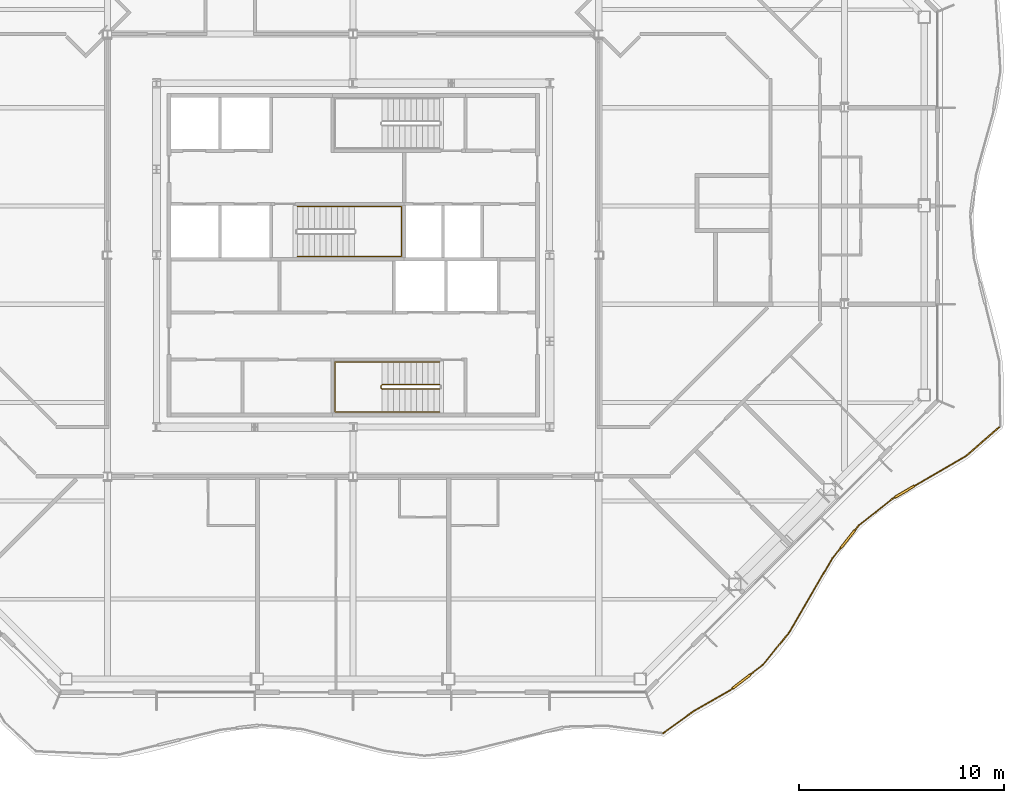
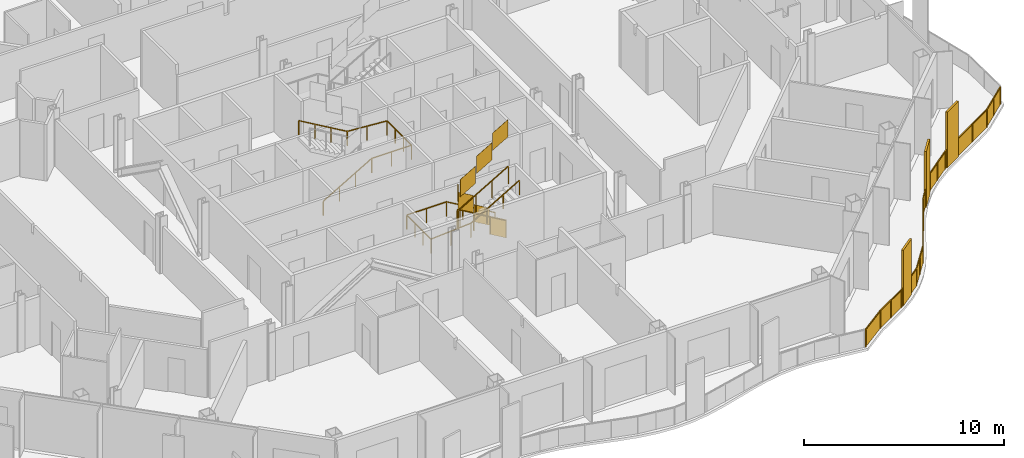
# One storey, part 17 of 20: 4 railings.
"""IFC4 building model written with IfcOpenShell, lengths in metres."""

from ifc_helpers import new_model, si_unit, direction, frame, origin, origin_2d, place, context, subcontext, project, spatial, polyline, rectangle, outline, extrude, material, type_object, element, save


model = new_model("IFC4")

# Units and contexts
model_context = context("Model", 3, precision=1e-05, world=origin(), true_north=direction((0.0, 1.0)))
body_context = subcontext(model_context, "Body", "Model", "MODEL_VIEW")
ifc_project = project(units=[si_unit("LENGTHUNIT", "METRE"), si_unit("AREAUNIT", "SQUARE_METRE"), si_unit("VOLUMEUNIT", "CUBIC_METRE"), si_unit("PLANEANGLEUNIT", "RADIAN"), si_unit("MASSUNIT", "GRAM", prefix="KILO")], contexts=[model_context])

# Site, building, storey
site_placement = place(None, origin())
site = spatial("IfcSite", under=ifc_project, at=site_placement, CompositionType="ELEMENT")
building_placement = place(site_placement, origin())
building = spatial("IfcBuilding", under=site, at=building_placement, Name="Cairn Pilgrim Tower", CompositionType="ELEMENT")
storey_placement = place(building_placement, frame((0.0, 0.0, 165.0)))
storey = spatial("IfcBuildingStorey", under=building, at=storey_placement, Name="L41", CompositionType="ELEMENT", Elevation=165.0)

# Railings
ifc_material_1 = material(Name="Bronze anodised aluminium rail, posts and fin screens with laminated glass infill", Category="aluminium")
railing_type_1 = type_object("IfcRailingType", Name="BALCONY GUARD WITH FIN SCREENS", PredefinedType="GUARDRAIL", material=ifc_material_1)
railing_1_placement = place(storey_placement, frame((22.351318359375, -20.952880859375, 0.0)))
element("IfcRailing", 1, at=railing_1_placement, inside=storey, type_object=railing_type_1, Name="Balcony guard BGF-2 with fin screens", PredefinedType="GUARDRAIL", context=body_context, shape_type="SweptSolid", body=[
    extrude(rectangle(XDim=0.050048828125, YDim=0.050048828125, at=origin_2d()), frame((0.0, 0.0, 1.0751953125), z_axis=(0.809139234835, 0.587616965932, 0.0), x_axis=(-0.587616965932, 0.809139234835, 0.0)), (0.0, 0.0, 1.0), 1.77978515625),
    extrude(rectangle(XDim=0.050048828125, YDim=0.050048828125, at=origin_2d()), frame((1.440185546875, 1.0458984375, 1.0751953125), z_axis=(0.867643704603, 0.497186486002, 0.0), x_axis=(-0.497186486002, 0.867643704603, 0.0)), (0.0, 0.0, 1.0), 2.107666015625),
    extrude(rectangle(XDim=1.10009765625, YDim=0.110107421875, at=origin_2d()), frame((3.8203125, 2.524658203125, 0.0), z_axis=(0.0, 0.0, 1.0), x_axis=(0.788064599698, 0.615592549259, 0.0)), (0.0, 0.0, 1.0), 3.39990234375),
    extrude(rectangle(XDim=0.050048828125, YDim=0.050048828125, at=origin_2d()), frame((3.268798828125, 2.09375, 1.0751953125), z_axis=(0.788064599698, 0.615592549259, 0.0), x_axis=(-0.615592549259, 0.788064599698, 0.0)), (0.0, 0.0, 1.0), 0.14990234375),
    extrude(rectangle(XDim=0.050048828125, YDim=0.050048828125, at=origin_2d()), frame((4.25390625, 2.86328125, 1.0751953125), z_axis=(0.788064599698, 0.615592549259, 0.0), x_axis=(-0.615592549259, 0.788064599698, 0.0)), (0.0, 0.0, 1.0), 0.774169921875),
    extrude(rectangle(XDim=0.050048828125, YDim=0.050048828125, at=origin_2d()), frame((4.864013671875, 3.33984375, 1.0751953125), z_axis=(0.633053317924, 0.774108194419, 0.0), x_axis=(-0.774108194419, 0.633053317924, 0.0)), (0.0, 0.0, 1.0), 2.01806640625),
    extrude(rectangle(XDim=0.050048828125, YDim=0.050048828125, at=origin_2d()), frame((6.1416015625, 4.902099609375, 1.0751953125), z_axis=(0.503114016785, 0.864220044962, 0.0), x_axis=(-0.864220044962, 0.503114016785, 0.0)), (0.0, 0.0, 1.0), 4.212158203125),
    extrude(rectangle(XDim=1.10009765625, YDim=0.110107421875, at=origin_2d()), frame((9.022216796875, 9.48779296875, 0.0), z_axis=(0.0, 0.0, 1.0), x_axis=(0.627244351659, 0.778822523629, 0.0)), (0.0, 0.0, 1.0), 3.39990234375),
    extrude(rectangle(XDim=0.050048828125, YDim=0.050048828125, at=origin_2d()), frame((8.2607421875, 8.542236328125, 1.0751953125), z_axis=(0.627244351659, 0.778822523629, 0.0), x_axis=(-0.778822523629, 0.627244351659, 0.0)), (0.0, 0.0, 1.0), 0.6640625),
    extrude(rectangle(XDim=0.050048828125, YDim=0.050048828125, at=origin_2d()), frame((9.3671875, 9.916015625, 1.0751953125), z_axis=(0.627244351659, 0.778822523629, 0.0), x_axis=(-0.778822523629, 0.627244351659, 0.0)), (0.0, 0.0, 1.0), 0.31201171875),
    extrude(rectangle(XDim=0.050048828125, YDim=0.050048828125, at=origin_2d()), frame((9.56298828125, 10.1591796875, 1.0751953125), z_axis=(0.783521351001, 0.621364862642, 0.0), x_axis=(-0.621364862642, 0.783521351001, 0.0)), (0.0, 0.0, 1.0), 2.07763671875),
    extrude(rectangle(XDim=1.10009765625, YDim=0.110107421875, at=origin_2d()), frame((11.795654296875, 11.802490234375, 0.0), z_axis=(0.0, 0.0, 1.0), x_axis=(0.864115345833, 0.503293819847, 0.0)), (0.0, 0.0, 1.0), 3.39990234375),
    extrude(rectangle(XDim=0.050048828125, YDim=0.050048828125, at=origin_2d()), frame((11.19091796875, 11.4501953125, 1.0751953125), z_axis=(0.864115345833, 0.503293819847, 0.0), x_axis=(-0.503293819847, 0.864115345833, 0.0)), (0.0, 0.0, 1.0), 0.14990234375),
    extrude(rectangle(XDim=0.050048828125, YDim=0.050048828125, at=origin_2d()), frame((12.27099609375, 12.079345703125, 1.0751953125), z_axis=(0.864115345833, 0.503293819847, 0.0), x_axis=(-0.503293819847, 0.864115345833, 0.0)), (0.0, 0.0, 1.0), 2.958740234375),
    extrude(rectangle(XDim=0.050048828125, YDim=0.050048828125, at=origin_2d()), frame((14.82763671875, 13.568359375, 1.0751953125), z_axis=(0.752720326501, 0.658340421114, 0.0), x_axis=(-0.658340421114, 0.752720326501, 0.0)), (0.0, 0.0, 1.0), 2.105712890625),
    extrude(rectangle(XDim=0.050048828125, YDim=0.050048828125, at=origin_2d()), origin(), (0.0, 0.0, 1.0), 1.050048828125),
    extrude(rectangle(XDim=0.050048828125, YDim=0.050048828125, at=origin_2d()), frame((1.440185546875, 1.0458984375, 0.0)), (0.0, 0.0, 1.0), 1.050048828125),
    extrude(rectangle(XDim=0.050048828125, YDim=0.050048828125, at=origin_2d()), frame((2.3544921875, 1.56982421875, 0.0)), (0.0, 0.0, 1.0), 1.050048828125),
    extrude(rectangle(XDim=0.050048828125, YDim=0.050048828125, at=origin_2d()), frame((3.268798828125, 2.09375, 0.0)), (0.0, 0.0, 1.0), 1.050048828125),
    extrude(rectangle(XDim=0.050048828125, YDim=0.050048828125, at=origin_2d()), frame((3.3671875, 2.170654296875, 0.0)), (0.0, 0.0, 1.0), 1.050048828125),
    extrude(rectangle(XDim=0.050048828125, YDim=0.050048828125, at=origin_2d()), frame((4.2734375, 2.878662109375, 0.0)), (0.0, 0.0, 1.0), 1.050048828125),
    extrude(rectangle(XDim=0.050048828125, YDim=0.050048828125, at=origin_2d()), frame((4.864013671875, 3.33984375, 0.0)), (0.0, 0.0, 1.0), 1.050048828125),
    extrude(rectangle(XDim=0.050048828125, YDim=0.050048828125, at=origin_2d()), frame((5.5029296875, 4.12109375, 0.0)), (0.0, 0.0, 1.0), 1.050048828125),
    extrude(rectangle(XDim=0.050048828125, YDim=0.050048828125, at=origin_2d()), frame((6.1416015625, 4.902099609375, 0.0)), (0.0, 0.0, 1.0), 1.050048828125),
    extrude(rectangle(XDim=0.050048828125, YDim=0.050048828125, at=origin_2d()), frame((6.847900390625, 6.115478515625, 0.0)), (0.0, 0.0, 1.0), 1.050048828125),
    extrude(rectangle(XDim=0.050048828125, YDim=0.050048828125, at=origin_2d()), frame((7.554443359375, 7.328857421875, 0.0)), (0.0, 0.0, 1.0), 1.050048828125),
    extrude(rectangle(XDim=0.050048828125, YDim=0.050048828125, at=origin_2d()), frame((8.2607421875, 8.542236328125, 0.0)), (0.0, 0.0, 1.0), 1.050048828125),
    extrude(rectangle(XDim=0.050048828125, YDim=0.050048828125, at=origin_2d()), frame((8.66162109375, 9.039794921875, 0.0)), (0.0, 0.0, 1.0), 1.050048828125),
    extrude(rectangle(XDim=0.050048828125, YDim=0.050048828125, at=origin_2d()), frame((9.3828125, 9.935546875, 0.0)), (0.0, 0.0, 1.0), 1.050048828125),
    extrude(rectangle(XDim=0.050048828125, YDim=0.050048828125, at=origin_2d()), frame((9.56298828125, 10.1591796875, 0.0)), (0.0, 0.0, 1.0), 1.050048828125),
    extrude(rectangle(XDim=0.050048828125, YDim=0.050048828125, at=origin_2d()), frame((10.376953125, 10.8046875, 0.0)), (0.0, 0.0, 1.0), 1.050048828125),
    extrude(rectangle(XDim=0.050048828125, YDim=0.050048828125, at=origin_2d()), frame((11.19091796875, 11.4501953125, 0.0)), (0.0, 0.0, 1.0), 1.050048828125),
    extrude(rectangle(XDim=0.050048828125, YDim=0.050048828125, at=origin_2d()), frame((11.298828125, 11.512939453125, 0.0)), (0.0, 0.0, 1.0), 1.050048828125),
    extrude(rectangle(XDim=0.050048828125, YDim=0.050048828125, at=origin_2d()), frame((12.29248046875, 12.091796875, 0.0)), (0.0, 0.0, 1.0), 1.050048828125),
    extrude(rectangle(XDim=0.050048828125, YDim=0.050048828125, at=origin_2d()), frame((13.56005859375, 12.830078125, 0.0)), (0.0, 0.0, 1.0), 1.050048828125),
    extrude(rectangle(XDim=0.050048828125, YDim=0.050048828125, at=origin_2d()), frame((14.82763671875, 13.568359375, 0.0)), (0.0, 0.0, 1.0), 1.050048828125),
    extrude(rectangle(XDim=0.050048828125, YDim=0.050048828125, at=origin_2d()), frame((15.6201171875, 14.261474609375, 0.0)), (0.0, 0.0, 1.0), 1.050048828125),
    extrude(rectangle(XDim=0.050048828125, YDim=0.050048828125, at=origin_2d()), frame((16.41259765625, 14.95458984375, 0.0)), (0.0, 0.0, 1.0), 1.050048828125),
    extrude(outline(polyline([(0.02490234375, 0.0), (1.7548828125, 0.0), (1.7548828125, 1.050048828125), (0.02490234375, 1.050048828125), (0.02490234375, 0.0)])), frame((-0.00341796875, 0.0048828125, 0.0), z_axis=(0.587616965932, -0.809139234835, 0.0), x_axis=(0.809139234835, 0.587616965932, 0.0)), (0.0, 0.0, 1.0), 0.011962890625),
    extrude(outline(polyline([(0.02490234375, 0.0), (1.02880859375, 0.0), (1.02880859375, 1.050048828125), (0.02490234375, 1.050048828125), (0.02490234375, 0.0)])), frame((1.437255859375, 1.051025390625, 0.0), z_axis=(0.497186486002, -0.867643704603, 0.0), x_axis=(0.867643704603, 0.497186486002, 0.0)), (0.0, 0.0, 1.0), 0.011962890625),
    extrude(outline(polyline([(0.02490234375, 0.0), (1.02880859375, 0.0), (1.02880859375, 1.050048828125), (0.02490234375, 1.050048828125), (0.02490234375, 0.0)])), frame((2.3515625, 1.574951171875, 0.0), z_axis=(0.497186486002, -0.867643704603, 0.0), x_axis=(0.867643704603, 0.497186486002, 0.0)), (0.0, 0.0, 1.0), 0.011962890625),
    extrude(outline(polyline([(0.02490234375, 0.0), (0.099853515625, 0.0), (0.099853515625, 1.050048828125), (0.02490234375, 1.050048828125), (0.02490234375, 0.0)])), frame((3.26513671875, 2.098388671875, 0.0), z_axis=(0.615592549259, -0.788064599698, 0.0), x_axis=(0.788064599698, 0.615592549259, 0.0)), (0.0, 0.0, 1.0), 0.011962890625),
    extrude(outline(polyline([(0.02490234375, 0.0), (0.72412109375, 0.0), (0.72412109375, 1.050048828125), (0.02490234375, 1.050048828125), (0.02490234375, 0.0)])), frame((4.269775390625, 2.88330078125, 0.0), z_axis=(0.615592549259, -0.788064599698, 0.0), x_axis=(0.788064599698, 0.615592549259, 0.0)), (0.0, 0.0, 1.0), 0.011962890625),
    extrude(outline(polyline([(0.02490234375, 0.0), (0.984130859375, 0.0), (0.984130859375, 1.050048828125), (0.02490234375, 1.050048828125), (0.02490234375, 0.0)])), frame((4.859375, 3.34375, 0.0), z_axis=(0.774108194419, -0.633053317924, 0.0), x_axis=(0.633053317924, 0.774108194419, 0.0)), (0.0, 0.0, 1.0), 0.011962890625),
    extrude(outline(polyline([(0.02490234375, 0.0), (0.984130859375, 0.0), (0.984130859375, 1.050048828125), (0.02490234375, 1.050048828125), (0.02490234375, 0.0)])), frame((5.498291015625, 4.124755859375, 0.0), z_axis=(0.774108194419, -0.633053317924, 0.0), x_axis=(0.633053317924, 0.774108194419, 0.0)), (0.0, 0.0, 1.0), 0.011962890625),
    extrude(outline(polyline([(0.02490234375, 0.0), (1.37890625, 0.0), (1.37890625, 1.050048828125), (0.02490234375, 1.050048828125), (0.02490234375, 0.0)])), frame((6.136474609375, 4.905029296875, 0.0), z_axis=(0.864220044962, -0.503114016785, 0.0), x_axis=(0.503114016785, 0.864220044962, 0.0)), (0.0, 0.0, 1.0), 0.011962890625),
    extrude(outline(polyline([(0.02490234375, 0.0), (1.37890625, 0.0), (1.37890625, 1.050048828125), (0.02490234375, 1.050048828125), (0.02490234375, 0.0)])), frame((6.8427734375, 6.118408203125, 0.0), z_axis=(0.864220044962, -0.503114016785, 0.0), x_axis=(0.503114016785, 0.864220044962, 0.0)), (0.0, 0.0, 1.0), 0.011962890625),
    extrude(outline(polyline([(0.02490234375, 0.0), (1.37890625, 0.0), (1.37890625, 1.050048828125), (0.02490234375, 1.050048828125), (0.02490234375, 0.0)])), frame((7.549072265625, 7.331787109375, 0.0), z_axis=(0.864220044962, -0.503114016785, 0.0), x_axis=(0.503114016785, 0.864220044962, 0.0)), (0.0, 0.0, 1.0), 0.011962890625),
    extrude(outline(polyline([(0.02490234375, 0.0), (0.614013671875, 0.0), (0.614013671875, 1.050048828125), (0.02490234375, 1.050048828125), (0.02490234375, 0.0)])), frame((8.256103515625, 8.5458984375, 0.0), z_axis=(0.778822523629, -0.627244351659, 0.0), x_axis=(0.627244351659, 0.778822523629, 0.0)), (0.0, 0.0, 1.0), 0.011962890625),
    extrude(outline(polyline([(0.02490234375, 0.0), (0.261962890625, 0.0), (0.261962890625, 1.050048828125), (0.02490234375, 1.050048828125), (0.02490234375, 0.0)])), frame((9.378173828125, 9.939453125, 0.0), z_axis=(0.778822523629, -0.627244351659, 0.0), x_axis=(0.627244351659, 0.778822523629, 0.0)), (0.0, 0.0, 1.0), 0.011962890625),
    extrude(outline(polyline([(0.02490234375, 0.0), (1.013916015625, 0.0), (1.013916015625, 1.050048828125), (0.02490234375, 1.050048828125), (0.02490234375, 0.0)])), frame((9.559326171875, 10.163818359375, 0.0), z_axis=(0.621364862642, -0.783521351001, 0.0), x_axis=(0.783521351001, 0.621364862642, 0.0)), (0.0, 0.0, 1.0), 0.011962890625),
    extrude(outline(polyline([(0.02490234375, 0.0), (1.013916015625, 0.0), (1.013916015625, 1.050048828125), (0.02490234375, 1.050048828125), (0.02490234375, 0.0)])), frame((10.373291015625, 10.809326171875, 0.0), z_axis=(0.621364862642, -0.783521351001, 0.0), x_axis=(0.783521351001, 0.621364862642, 0.0)), (0.0, 0.0, 1.0), 0.011962890625),
    extrude(outline(polyline([(0.02490234375, 0.0), (0.099853515625, 0.0), (0.099853515625, 1.050048828125), (0.02490234375, 1.050048828125), (0.02490234375, 0.0)])), frame((11.18798828125, 11.455322265625, 0.0), z_axis=(0.503293819847, -0.864115345833, 0.0), x_axis=(0.864115345833, 0.503293819847, 0.0)), (0.0, 0.0, 1.0), 0.011962890625),
    extrude(outline(polyline([(0.02490234375, 0.0), (1.44189453125, 0.0), (1.44189453125, 1.050048828125), (0.02490234375, 1.050048828125), (0.02490234375, 0.0)])), frame((12.28955078125, 12.096923828125, 0.0), z_axis=(0.503293819847, -0.864115345833, 0.0), x_axis=(0.864115345833, 0.503293819847, 0.0)), (0.0, 0.0, 1.0), 0.011962890625),
    extrude(outline(polyline([(0.02490234375, 0.0), (1.44189453125, 0.0), (1.44189453125, 1.050048828125), (0.02490234375, 1.050048828125), (0.02490234375, 0.0)])), frame((13.55712890625, 12.835205078125, 0.0), z_axis=(0.503293819847, -0.864115345833, 0.0), x_axis=(0.864115345833, 0.503293819847, 0.0)), (0.0, 0.0, 1.0), 0.011962890625),
    extrude(outline(polyline([(0.02490234375, 0.0), (1.02783203125, 0.0), (1.02783203125, 1.050048828125), (0.02490234375, 1.050048828125), (0.02490234375, 0.0)])), frame((14.82373046875, 13.57275390625, 0.0), z_axis=(0.658340421114, -0.752720326501, 0.0), x_axis=(0.752720326501, 0.658340421114, 0.0)), (0.0, 0.0, 1.0), 0.011962890625),
    extrude(outline(polyline([(0.02490234375, 0.0), (1.02783203125, 0.0), (1.02783203125, 1.050048828125), (0.02490234375, 1.050048828125), (0.02490234375, 0.0)])), frame((15.6162109375, 14.265869140625, 0.0), z_axis=(0.658340421114, -0.752720326501, 0.0), x_axis=(0.752720326501, 0.658340421114, 0.0)), (0.0, 0.0, 1.0), 0.011962890625),
])
ifc_material_2 = material(Name="Painted steel", Category="steel")
railing_type_2 = type_object("IfcRailingType", Name="STAIR GUARD 1100", PredefinedType="GUARDRAIL", material=ifc_material_2)
railing_2_placement = place(storey_placement, frame((11.425048828125, -3.925048828125, 0.16357421875)))
element("IfcRailing", 2, at=railing_2_placement, inside=storey, type_object=railing_type_2, Name="L41 ST-A stair guard 1", PredefinedType="GUARDRAIL", context=body_context, shape_type="SweptSolid", body=[
    extrude(rectangle(XDim=0.048095703125, YDim=0.048095703125, at=origin_2d()), frame((0.0, 0.0, 1.076171875), z_axis=(-0.863360870873, 0.0, 0.504586966384), x_axis=(0.0, -1.0, 0.0)), (0.0, 0.0, 1.0), 3.2431640625),
    extrude(rectangle(XDim=0.048095703125, YDim=0.048095703125, at=origin_2d()), frame((-2.800048828125, 0.0, 2.71240234375), z_axis=(-0.707106781187, -0.707106781187, 0.0), x_axis=(0.707106781187, -0.707106781187, 0.0)), (0.0, 0.0, 1.0), 0.07080078125),
    extrude(rectangle(XDim=0.048095703125, YDim=0.048095703125, at=origin_2d()), frame((-2.85009765625, -0.050048828125, 2.71240234375), z_axis=(0.0, -1.0, 0.0), x_axis=(1.0, 0.0, 0.0)), (0.0, 0.0, 1.0), 0.125),
    extrude(rectangle(XDim=0.048095703125, YDim=0.048095703125, at=origin_2d()), frame((-2.85009765625, -0.175048828125, 2.71240234375), z_axis=(0.280916556609, -0.279546231943, 0.91811752648), x_axis=(0.705375805398, 0.708833529934, 0.0)), (0.0, 0.0, 1.0), 0.17822265625),
    extrude(rectangle(XDim=0.048095703125, YDim=0.048095703125, at=origin_2d()), frame((-2.800048828125, -0.224853515625, 2.8759765625), z_axis=(0.863360870873, 0.0, 0.504586966384), x_axis=(0.0, 1.0, 0.0)), (0.0, 0.0, 1.0), 3.2431640625),
    extrude(rectangle(XDim=0.0419921875, YDim=0.0419921875, at=origin_2d()), origin(), (0.0, 0.0, 1.0), 1.052001953125),
    extrude(rectangle(XDim=0.0419921875, YDim=0.0419921875, at=origin_2d()), frame((-0.933349609375, 0.0, 0.54541015625)), (0.0, 0.0, 1.0), 1.052001953125),
    extrude(rectangle(XDim=0.0419921875, YDim=0.0419921875, at=origin_2d()), frame((-1.86669921875, 0.0, 1.091064453125)), (0.0, 0.0, 1.0), 1.052001953125),
    extrude(rectangle(XDim=0.0419921875, YDim=0.0419921875, at=origin_2d()), frame((-2.800048828125, 0.0, 1.636474609375)), (0.0, 0.0, 1.0), 1.052001953125),
    extrude(rectangle(XDim=0.0419921875, YDim=0.0419921875, at=origin_2d()), frame((-2.85009765625, -0.050048828125, 1.636474609375)), (0.0, 0.0, 1.0), 1.052001953125),
    extrude(rectangle(XDim=0.0419921875, YDim=0.0419921875, at=origin_2d()), frame((-2.85009765625, -0.175048828125, 1.636474609375)), (0.0, 0.0, 1.0), 1.052001953125),
    extrude(rectangle(XDim=0.0419921875, YDim=0.0419921875, at=origin_2d()), frame((-2.800048828125, -0.224853515625, 1.800048828125)), (0.0, 0.0, 1.0), 1.052001953125),
    extrude(rectangle(XDim=0.0419921875, YDim=0.0419921875, at=origin_2d()), frame((-1.86669921875, -0.224853515625, 2.345458984375)), (0.0, 0.0, 1.0), 1.052001953125),
    extrude(rectangle(XDim=0.0419921875, YDim=0.0419921875, at=origin_2d()), frame((-0.933349609375, -0.224853515625, 2.89111328125)), (0.0, 0.0, 1.0), 1.052001953125),
    extrude(rectangle(XDim=0.0419921875, YDim=0.0419921875, at=origin_2d()), frame((0.0, -0.224853515625, 3.4365234375)), (0.0, 0.0, 1.0), 1.052001953125),
    extrude(outline(polyline([(0.02099609375, 0.01220703125), (0.912353515625, 0.533203125), (0.912353515625, 1.585205078125), (0.02099609375, 1.064208984375), (0.02099609375, 0.01220703125)])), frame((0.0, -0.005859375, 0.0), z_axis=(0.0, 1.0, 0.0), x_axis=(-1.0, 0.0, 0.0)), (0.0, 0.0, 1.0), 0.011962890625),
    extrude(outline(polyline([(0.02099609375, 0.557861328125), (0.912353515625, 1.07861328125), (0.912353515625, 2.130615234375), (0.02099609375, 1.60986328125), (0.02099609375, 0.557861328125)])), frame((-0.933349609375, -0.005859375, 0.54541015625), z_axis=(0.0, 1.0, 0.0), x_axis=(-1.0, 0.0, 0.0)), (0.0, 0.0, 1.0), 0.011962890625),
    extrude(outline(polyline([(0.02099609375, 1.103271484375), (0.912353515625, 1.624267578125), (0.912353515625, 2.67626953125), (0.02099609375, 2.1552734375), (0.02099609375, 1.103271484375)])), frame((-1.86669921875, -0.005859375, 1.091064453125), z_axis=(0.0, 1.0, 0.0), x_axis=(-1.0, 0.0, 0.0)), (0.0, 0.0, 1.0), 0.011962890625),
    extrude(outline(polyline([(0.02099609375, 1.636474609375), (0.10400390625, 1.636474609375), (0.10400390625, 2.6884765625), (0.02099609375, 2.6884765625), (0.02099609375, 1.636474609375)])), frame((-2.84423828125, -0.050048828125, 1.636474609375), z_axis=(-1.0, 0.0, 0.0), x_axis=(0.0, -1.0, 0.0)), (0.0, 0.0, 1.0), 0.011962890625),
    extrude(outline(polyline([(0.02099609375, 1.812255859375), (0.912353515625, 2.333251953125), (0.912353515625, 3.38525390625), (0.02099609375, 2.8642578125), (0.02099609375, 1.812255859375)])), frame((-2.800048828125, -0.21875, 1.800048828125), z_axis=(0.0, -1.0, 0.0), x_axis=(1.0, 0.0, 0.0)), (0.0, 0.0, 1.0), 0.011962890625),
    extrude(outline(polyline([(0.02099609375, 2.35791015625), (0.912353515625, 2.878662109375), (0.912353515625, 3.9306640625), (0.02099609375, 3.409912109375), (0.02099609375, 2.35791015625)])), frame((-1.86669921875, -0.21875, 2.345458984375), z_axis=(0.0, -1.0, 0.0), x_axis=(1.0, 0.0, 0.0)), (0.0, 0.0, 1.0), 0.011962890625),
    extrude(outline(polyline([(0.02099609375, 2.9033203125), (0.912353515625, 3.42431640625), (0.912353515625, 4.476318359375), (0.02099609375, 3.955322265625), (0.02099609375, 2.9033203125)])), frame((-0.933349609375, -0.21875, 2.89111328125), z_axis=(0.0, -1.0, 0.0), x_axis=(1.0, 0.0, 0.0)), (0.0, 0.0, 1.0), 0.011962890625),
])
railing_type_3 = type_object("IfcRailingType", Name="STAIR HANDRAIL 900", PredefinedType="HANDRAIL", material=ifc_material_2)
railing_3_placement = place(storey_placement, frame((11.425048828125, -2.824951171875, 0.16357421875)))
element("IfcRailing", 3, at=railing_3_placement, inside=storey, type_object=railing_type_3, Name="L41 ST-A stair handrail 1", PredefinedType="HANDRAIL", context=body_context, shape_type="SweptSolid", body=[
    extrude(rectangle(XDim=0.048095703125, YDim=0.048095703125, at=origin_2d()), frame((0.0, 0.0, 0.8759765625), z_axis=(-0.863360870873, 0.0, 0.504586966384), x_axis=(0.0, -1.0, 0.0)), (0.0, 0.0, 1.0), 3.2431640625),
    extrude(rectangle(XDim=0.048095703125, YDim=0.048095703125, at=origin_2d()), frame((-2.800048828125, 0.0, 2.51220703125), z_axis=(-1.0, 0.0, 0.0), x_axis=(0.0, -1.0, 0.0)), (0.0, 0.0, 1.0), 2.300048828125),
    extrude(rectangle(XDim=0.048095703125, YDim=0.048095703125, at=origin_2d()), frame((-5.10009765625, 0.0, 2.51220703125), z_axis=(0.0, -1.0, 0.0), x_axis=(1.0, 0.0, 0.0)), (0.0, 0.0, 1.0), 2.425048828125),
    extrude(rectangle(XDim=0.048095703125, YDim=0.048095703125, at=origin_2d()), frame((-5.10009765625, -2.425048828125, 2.51220703125), z_axis=(0.997480687736, 0.0, 0.070938548008), x_axis=(0.0, 1.0, 0.0)), (0.0, 0.0, 1.0), 2.305908203125),
    extrude(rectangle(XDim=0.048095703125, YDim=0.048095703125, at=origin_2d()), frame((-2.800048828125, -2.425048828125, 2.67578125), z_axis=(0.863360870873, 0.0, 0.504586966384), x_axis=(0.0, 1.0, 0.0)), (0.0, 0.0, 1.0), 3.2431640625),
    extrude(rectangle(XDim=0.0419921875, YDim=0.0419921875, at=origin_2d()), origin(), (0.0, 0.0, 1.0), 0.851806640625),
    extrude(rectangle(XDim=0.0419921875, YDim=0.0419921875, at=origin_2d()), frame((-0.933349609375, 0.0, 0.54541015625)), (0.0, 0.0, 1.0), 0.851806640625),
    extrude(rectangle(XDim=0.0419921875, YDim=0.0419921875, at=origin_2d()), frame((-1.86669921875, 0.0, 1.091064453125)), (0.0, 0.0, 1.0), 0.851806640625),
    extrude(rectangle(XDim=0.0419921875, YDim=0.0419921875, at=origin_2d()), frame((-2.800048828125, 0.0, 1.636474609375)), (0.0, 0.0, 1.0), 0.851806640625),
    extrude(rectangle(XDim=0.0419921875, YDim=0.0419921875, at=origin_2d()), frame((-3.9501953125, 0.0, 1.636474609375)), (0.0, 0.0, 1.0), 0.851806640625),
    extrude(rectangle(XDim=0.0419921875, YDim=0.0419921875, at=origin_2d()), frame((-5.10009765625, 0.0, 1.636474609375)), (0.0, 0.0, 1.0), 0.851806640625),
    extrude(rectangle(XDim=0.0419921875, YDim=0.0419921875, at=origin_2d()), frame((-5.10009765625, -0.808349609375, 1.636474609375)), (0.0, 0.0, 1.0), 0.851806640625),
    extrude(rectangle(XDim=0.0419921875, YDim=0.0419921875, at=origin_2d()), frame((-5.10009765625, -1.61669921875, 1.636474609375)), (0.0, 0.0, 1.0), 0.851806640625),
    extrude(rectangle(XDim=0.0419921875, YDim=0.0419921875, at=origin_2d()), frame((-5.10009765625, -2.425048828125, 1.636474609375)), (0.0, 0.0, 1.0), 0.851806640625),
    extrude(rectangle(XDim=0.0419921875, YDim=0.0419921875, at=origin_2d()), frame((-3.9501953125, -2.425048828125, 1.71826171875)), (0.0, 0.0, 1.0), 0.851806640625),
    extrude(rectangle(XDim=0.0419921875, YDim=0.0419921875, at=origin_2d()), frame((-2.800048828125, -2.425048828125, 1.800048828125)), (0.0, 0.0, 1.0), 0.851806640625),
    extrude(rectangle(XDim=0.0419921875, YDim=0.0419921875, at=origin_2d()), frame((-1.86669921875, -2.425048828125, 2.345458984375)), (0.0, 0.0, 1.0), 0.851806640625),
    extrude(rectangle(XDim=0.0419921875, YDim=0.0419921875, at=origin_2d()), frame((-0.933349609375, -2.425048828125, 2.89111328125)), (0.0, 0.0, 1.0), 0.851806640625),
    extrude(rectangle(XDim=0.0419921875, YDim=0.0419921875, at=origin_2d()), frame((0.0, -2.425048828125, 3.4365234375)), (0.0, 0.0, 1.0), 0.851806640625),
])
railing_4_placement = place(storey_placement, frame((4.47509765625, 2.324951171875, 0.16357421875)))
element("IfcRailing", 4, at=railing_4_placement, inside=storey, type_object=railing_type_3, Name="L41 ST-B stair handrail 1", PredefinedType="HANDRAIL", context=body_context, shape_type="SweptSolid", body=[
    extrude(rectangle(XDim=0.048095703125, YDim=0.048095703125, at=origin_2d()), frame((0.0, 0.0, 0.8759765625), z_axis=(0.863341702679, 0.0, 0.504619762213), x_axis=(0.0, 1.0, 0.0)), (0.0, 0.0, 1.0), 3.242919921875),
    extrude(rectangle(XDim=0.048095703125, YDim=0.048095703125, at=origin_2d()), frame((2.7998046875, 0.0, 2.51220703125), z_axis=(1.0, 0.0, 0.0), x_axis=(0.0, 1.0, 0.0)), (0.0, 0.0, 1.0), 2.300048828125),
    extrude(rectangle(XDim=0.048095703125, YDim=0.048095703125, at=origin_2d()), frame((5.099853515625, 0.0, 2.51220703125), z_axis=(0.0, 1.0, 0.0), x_axis=(-1.0, 0.0, 0.0)), (0.0, 0.0, 1.0), 2.449951171875),
    extrude(rectangle(XDim=0.048095703125, YDim=0.048095703125, at=origin_2d()), frame((5.099853515625, 2.449951171875, 2.51220703125), z_axis=(-0.997480687736, 0.0, 0.070938548008), x_axis=(0.0, -1.0, 0.0)), (0.0, 0.0, 1.0), 2.305908203125),
    extrude(rectangle(XDim=0.048095703125, YDim=0.048095703125, at=origin_2d()), frame((2.7998046875, 2.449951171875, 2.67578125), z_axis=(-0.863341702679, 0.0, 0.504619762213), x_axis=(0.0, -1.0, 0.0)), (0.0, 0.0, 1.0), 3.242919921875),
    extrude(rectangle(XDim=0.0419921875, YDim=0.0419921875, at=origin_2d()), origin(), (0.0, 0.0, 1.0), 0.851806640625),
    extrude(rectangle(XDim=0.0419921875, YDim=0.0419921875, at=origin_2d()), frame((0.933349609375, 0.0, 0.54541015625)), (0.0, 0.0, 1.0), 0.851806640625),
    extrude(rectangle(XDim=0.0419921875, YDim=0.0419921875, at=origin_2d()), frame((1.866455078125, 0.0, 1.091064453125)), (0.0, 0.0, 1.0), 0.851806640625),
    extrude(rectangle(XDim=0.0419921875, YDim=0.0419921875, at=origin_2d()), frame((2.7998046875, 0.0, 1.636474609375)), (0.0, 0.0, 1.0), 0.851806640625),
    extrude(rectangle(XDim=0.0419921875, YDim=0.0419921875, at=origin_2d()), frame((3.94970703125, 0.0, 1.636474609375)), (0.0, 0.0, 1.0), 0.851806640625),
    extrude(rectangle(XDim=0.0419921875, YDim=0.0419921875, at=origin_2d()), frame((5.099853515625, 0.0, 1.636474609375)), (0.0, 0.0, 1.0), 0.851806640625),
    extrude(rectangle(XDim=0.0419921875, YDim=0.0419921875, at=origin_2d()), frame((5.099853515625, 0.816650390625, 1.636474609375)), (0.0, 0.0, 1.0), 0.851806640625),
    extrude(rectangle(XDim=0.0419921875, YDim=0.0419921875, at=origin_2d()), frame((5.099853515625, 1.63330078125, 1.636474609375)), (0.0, 0.0, 1.0), 0.851806640625),
    extrude(rectangle(XDim=0.0419921875, YDim=0.0419921875, at=origin_2d()), frame((5.099853515625, 2.449951171875, 1.636474609375)), (0.0, 0.0, 1.0), 0.851806640625),
    extrude(rectangle(XDim=0.0419921875, YDim=0.0419921875, at=origin_2d()), frame((3.94970703125, 2.449951171875, 1.71826171875)), (0.0, 0.0, 1.0), 0.851806640625),
    extrude(rectangle(XDim=0.0419921875, YDim=0.0419921875, at=origin_2d()), frame((2.7998046875, 2.449951171875, 1.800048828125)), (0.0, 0.0, 1.0), 0.851806640625),
    extrude(rectangle(XDim=0.0419921875, YDim=0.0419921875, at=origin_2d()), frame((1.866455078125, 2.449951171875, 2.345458984375)), (0.0, 0.0, 1.0), 0.851806640625),
    extrude(rectangle(XDim=0.0419921875, YDim=0.0419921875, at=origin_2d()), frame((0.933349609375, 2.449951171875, 2.89111328125)), (0.0, 0.0, 1.0), 0.851806640625),
    extrude(rectangle(XDim=0.0419921875, YDim=0.0419921875, at=origin_2d()), frame((0.0, 2.449951171875, 3.4365234375)), (0.0, 0.0, 1.0), 0.851806640625),
])

save(model, "model.ifc")
